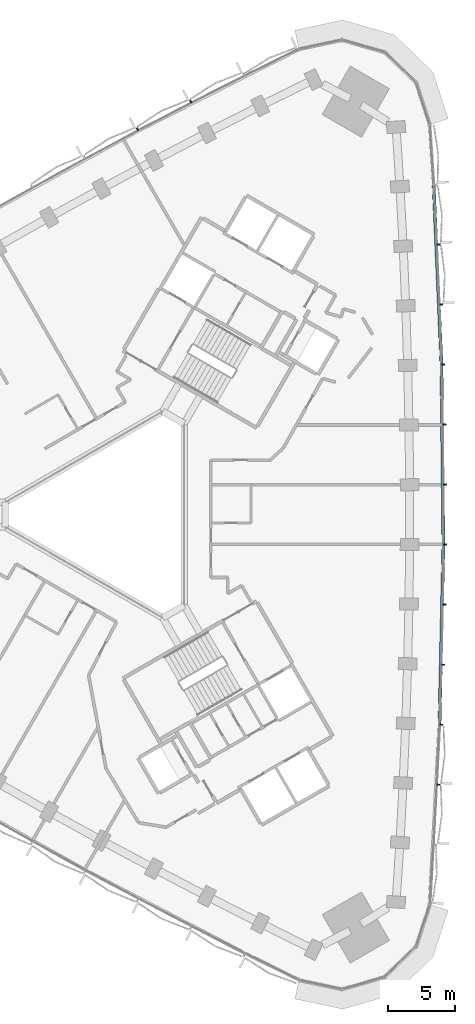
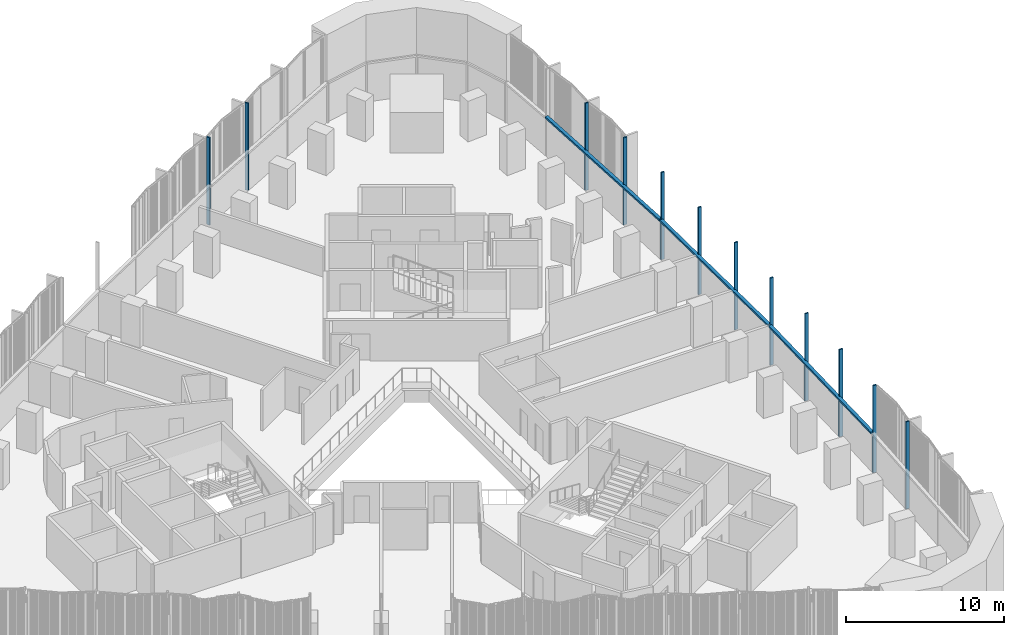
# One storey, part 6 of 16: 15 members, 2 elements without a shape of their own.
"""IFC4 building model written with IfcOpenShell, lengths in metres."""

import ifcopenshell
import ifcopenshell.guid

model = None  # the IFC model being written
_history = None  # IfcOwnerHistory: only IFC2X3 demands one
_inside = {}  # id of a spatial element -> (the spatial element, [elements in it])
_under = {}  # id of a project, library or spatial element -> (it, [spatial elements below it])
_declared = {}  # id of a project -> (the project, [libraries it declares])
_typed = {}  # id of a type object -> (the type object, [elements of that type])
_made_of = {}  # id of a material, layer set ... -> (it, [elements and type objects made of it])


def new_model(schema):
    """Start an empty IFC model of exactly this schema.

    Asked for "IFC4X3", IfcOpenShell would pick the latest addendum, in which some entities
    have other attributes; the version numbers below select the first issue.
    IFC2X3 requires an IfcOwnerHistory on every rooted entity: one is made here for all.
    """
    global model, _history
    if schema == "IFC4X3":
        model = ifcopenshell.file(schema_version=(4, 3, 0, 0))
    else:
        model = ifcopenshell.file(schema=schema)
    _inside.clear()
    _under.clear()
    _declared.clear()
    _typed.clear()
    _made_of.clear()
    _history = None
    if model.schema == "IFC2X3":
        org = make("IfcOrganization", Name="unknown")
        user = make(
            "IfcPersonAndOrganization",
            ThePerson=make("IfcPerson", FamilyName="unknown"),
            TheOrganization=org,
        )
        app = make(
            "IfcApplication",
            ApplicationDeveloper=org,
            Version="unknown",
            ApplicationFullName="unknown",
            ApplicationIdentifier="unknown",
        )
        _history = make(
            "IfcOwnerHistory",
            OwningUser=user,
            OwningApplication=app,
            ChangeAction="ADDED",
            CreationDate=0,
        )
    return model


def make(cls, **values):
    """One entity of the class cls with the attributes given. An attribute that is None is left unset."""
    return model.create_entity(
        cls, **{name: value for name, value in values.items() if value is not None}
    )


def rooted(cls, **values):
    """An entity with a GlobalId (a new one), such as an element, a storey or a relation."""
    return make(cls, GlobalId=ifcopenshell.guid.new(), OwnerHistory=_history, **values)


def si_unit(unit_type, name, prefix=None):
    """IfcSIUnit, for example si_unit("LENGTHUNIT", "METRE", prefix="MILLI")."""
    return make("IfcSIUnit", UnitType=unit_type, Prefix=prefix, Name=name)


def assignment(units):
    """IfcUnitAssignment: the units of a project."""
    return None if units is None else make("IfcUnitAssignment", Units=units)


def point(xyz):
    """IfcCartesianPoint."""
    return None if xyz is None else make("IfcCartesianPoint", Coordinates=xyz)


def direction(xyz):
    """IfcDirection."""
    return None if xyz is None else make("IfcDirection", DirectionRatios=xyz)


def frame(location, z_axis=None, x_axis=None):
    """IfcAxis2Placement3D, a coordinate frame: its origin and axes. An axis left out is left unset."""
    return make(
        "IfcAxis2Placement3D",
        Location=point(location),
        Axis=direction(z_axis),
        RefDirection=direction(x_axis),
    )


def frame_2d(location, x_axis=None):
    """IfcAxis2Placement2D, a coordinate frame in the plane: its origin and x axis."""
    return make(
        "IfcAxis2Placement2D", Location=point(location), RefDirection=direction(x_axis)
    )


def origin():
    """The frame at (0, 0, 0) with its axes left unset."""
    return frame((0.0, 0.0, 0.0))


def origin_2d():
    """The frame at (0, 0) in the plane with its x axis left unset."""
    return frame_2d((0.0, 0.0))


def place(relative_to, where):
    """IfcLocalPlacement: puts the frame where relative to a parent placement (None: the world)."""
    return make(
        "IfcLocalPlacement", PlacementRelTo=relative_to, RelativePlacement=where
    )


def context(
    kind, dimensions, precision=None, world=None, true_north=None, identifier=None
):
    """IfcGeometricRepresentationContext, for example the 3D "Model" context."""
    return make(
        "IfcGeometricRepresentationContext",
        ContextIdentifier=identifier,
        ContextType=kind,
        CoordinateSpaceDimension=dimensions,
        Precision=precision,
        WorldCoordinateSystem=world,
        TrueNorth=true_north,
    )


def subcontext(parent, identifier, kind, view, scale=None):
    """IfcGeometricRepresentationSubContext, for example "Body" below "Model"."""
    return make(
        "IfcGeometricRepresentationSubContext",
        ContextIdentifier=identifier,
        ContextType=kind,
        ParentContext=parent,
        TargetScale=scale,
        TargetView=view,
    )


def project(units=None, contexts=None):
    """IfcProject with its units and contexts."""
    return rooted(
        "IfcProject",
        Name="project",
        RepresentationContexts=contexts,
        UnitsInContext=assignment(units),
    )


def spatial(cls, under=None, at=None, **own):
    """A site, building, storey or space (cls), placed at a placement, below another one or the project."""
    s = rooted(cls, ObjectPlacement=at, **own)
    if under is not None:
        _under.setdefault(under.id(), (under, []))[1].append(s)
    return s


def profile(cls, at=None, kind="AREA", **sizes):
    """A parametric profile (cls). Its sizes go by their IFC names, for example OverallWidth=200.0."""
    return make(cls, ProfileType=kind, Position=at, **sizes)


def rectangle(**sizes):
    """IfcRectangleProfileDef."""
    return profile("IfcRectangleProfileDef", **sizes)


def extrude(swept, where, along, depth):
    """IfcExtrudedAreaSolid: the profile swept, set in the frame where, extruded along a direction by depth."""
    return make(
        "IfcExtrudedAreaSolid",
        SweptArea=swept,
        Position=where,
        ExtrudedDirection=direction(along),
        Depth=depth,
    )


def shape(context_of_items, identifier, shape_type, items):
    """IfcShapeRepresentation: the items that make up one representation, for example the "Body"."""
    return make(
        "IfcShapeRepresentation",
        ContextOfItems=context_of_items,
        RepresentationIdentifier=identifier,
        RepresentationType=shape_type,
        Items=items,
    )


def material(Name=None, Category=None):
    """IfcMaterial."""
    return make("IfcMaterial", Name=Name, Category=Category)


def material_profile(
    of_material, cross_section, Name=None, Category=None, Priority=None
):
    """IfcMaterialProfile: a cross section and its material."""
    return make(
        "IfcMaterialProfile",
        Name=Name,
        Material=of_material,
        Profile=cross_section,
        Priority=Priority,
        Category=Category,
    )


def profile_set(profiles, Name=None, composite=None):
    """IfcMaterialProfileSet."""
    return make(
        "IfcMaterialProfileSet",
        Name=Name,
        MaterialProfiles=profiles,
        CompositeProfile=composite,
    )


def made_of(thing, what):
    """Note that an element or type object is made of a material, layer set ...; save() writes the relation."""
    if what is not None:
        _made_of.setdefault(what.id(), (what, []))[1].append(thing)
    return thing


def type_object(cls, material=None, **own):
    """A type object (cls), such as IfcWallType, which elements share."""
    return made_of(rooted(cls, **own), material)


def element(
    cls,
    number,
    at=None,
    inside=None,
    cuts=None,
    type_object=None,
    material=None,
    context=None,
    identifier="Body",
    shape_type=None,
    held_by="IfcProductDefinitionShape",
    body=None,
    shapes=None,
    **own,
):
    """One element of the class cls, such as IfcWall. Its Tag is "e" and its number.

    at: its placement. inside: the storey or other place that contains it. cuts: it is an
    opening in that element (IfcRelVoidsElement). A single representation is given by context,
    identifier, shape_type and body (its items); several are given by shapes. held_by: the class
    of the entity that holds the representations. save() writes the other relations.
    """
    e = rooted(cls, Tag="e%d" % number, ObjectPlacement=at, **own)
    if body is not None:
        shapes = [shape(context, identifier, shape_type, body)]
    if shapes is not None:
        e.Representation = make(held_by, Representations=shapes)
    if inside is not None:
        _inside.setdefault(inside.id(), (inside, []))[1].append(e)
    if cuts is not None:
        rooted(
            "IfcRelVoidsElement", RelatingBuildingElement=cuts, RelatedOpeningElement=e
        )
    if type_object is not None:
        _typed.setdefault(type_object.id(), (type_object, []))[1].append(e)
    return made_of(e, material)


def aggregate(whole, parts):
    """IfcRelAggregates: a whole, such as a stair, and the parts it consists of."""
    return rooted("IfcRelAggregates", RelatingObject=whole, RelatedObjects=parts)


def save(model, path):
    """Write the relations noted so far, then the file.

    IfcRelAggregates (storeys below a building ...), IfcRelContainedInSpatialStructure (elements
    in a storey), IfcRelDefinesByType, IfcRelAssociatesMaterial and IfcRelDeclares: one each for
    every whole, place, type object, material and project.
    """
    for whole, parts in _under.values():
        aggregate(whole, parts)
    for where, things in _inside.values():
        rooted(
            "IfcRelContainedInSpatialStructure",
            RelatedElements=things,
            RelatingStructure=where,
        )
    for kind, things in _typed.values():
        rooted("IfcRelDefinesByType", RelatedObjects=things, RelatingType=kind)
    for what, things in _made_of.values():
        rooted("IfcRelAssociatesMaterial", RelatedObjects=things, RelatingMaterial=what)
    for by, libraries in _declared.values():
        rooted("IfcRelDeclares", RelatingContext=by, RelatedDefinitions=libraries)
    model.write(path)


model = new_model("IFC4")

# Units and contexts
model_context = context("Model", 3, precision=1e-05, world=origin(), true_north=direction((0.0, 1.0)))
body_context = subcontext(model_context, "Body", "Model", "MODEL_VIEW")
ifc_project = project(units=[si_unit("LENGTHUNIT", "METRE"), si_unit("AREAUNIT", "SQUARE_METRE"), si_unit("VOLUMEUNIT", "CUBIC_METRE"), si_unit("PLANEANGLEUNIT", "RADIAN"), si_unit("MASSUNIT", "GRAM", prefix="KILO")], contexts=[model_context])

# Site, building, storey
site_placement = place(None, origin())
site = spatial("IfcSite", under=ifc_project, at=site_placement, CompositionType="ELEMENT")
building_placement = place(site_placement, origin())
building = spatial("IfcBuilding", under=site, at=building_placement, Name="Tamra Quay Hotel Tower", CompositionType="ELEMENT")
storey_placement = place(building_placement, frame((0.0, 0.0, 56.60009765625)))
storey = spatial("IfcBuildingStorey", under=building, at=storey_placement, Name="L12", CompositionType="ELEMENT", Elevation=56.60009765625)

# Curtain wall, members
ifc_material = material(Name="Aluminium 6063 anodised dark grey", Category="aluminium")
curtain_wall_type_1 = type_object("IfcCurtainWallType", Name="CW1 CURTAIN WALL", PredefinedType="NOTDEFINED", material=ifc_material)
curtain_wall_1_placement = place(storey_placement, origin())
curtain_wall_1 = element("IfcCurtainWall", 1, at=curtain_wall_1_placement, inside=storey, type_object=curtain_wall_type_1, Name="CW1 east face L12", PredefinedType="NOTDEFINED")
ifc_material_profile_1 = material_profile(ifc_material, rectangle(XDim=0.239990234375, YDim=0.10009765625, at=origin_2d()), Name="MULLION 100X240")
ifc_profile_set_1 = profile_set([ifc_material_profile_1], Name="Aluminium 6063 anodised dark grey")
member_type_1 = type_object("IfcMemberType", Name="MULLION CW1 Z1", PredefinedType="MULLION", material=ifc_profile_set_1)
member_1_placement = place(storey_placement, frame((24.06298828125, -20.2373046875, 0.0), z_axis=(0.0, 0.0, 1.0), x_axis=(0.998814694093, -0.048674499108, 0.0)))
member_1 = element("IfcMember", 2, at=member_1_placement, type_object=member_type_1, Name="CW1 mullion L12.E.3", PredefinedType="MULLION", context=body_context, shape_type="SweptSolid", body=[
    extrude(rectangle(XDim=0.239990234375, YDim=0.10009765625, at=origin_2d()), origin(), (0.0, 0.0, 1.0), 6.724853515625),
])
member_2_placement = place(storey_placement, frame((24.2578125, -15.742919921875, 0.0), z_axis=(0.0, 0.0, 1.0), x_axis=(0.999282269294, -0.037880684725, 0.0)))
member_2 = element("IfcMember", 3, at=member_2_placement, type_object=member_type_1, Name="CW1 mullion L12.E.4", PredefinedType="MULLION", context=body_context, shape_type="SweptSolid", body=[
    extrude(rectangle(XDim=0.239990234375, YDim=0.10009765625, at=origin_2d()), origin(), (0.0, 0.0, 1.0), 6.724853515625),
])
member_3_placement = place(storey_placement, frame((24.40380859375, -11.246826171875, 0.0), z_axis=(0.0, 0.0, 1.0), x_axis=(0.999633634744, -0.027066515987, 0.0)))
member_3 = element("IfcMember", 4, at=member_3_placement, type_object=member_type_1, Name="CW1 mullion L12.E.5", PredefinedType="MULLION", context=body_context, shape_type="SweptSolid", body=[
    extrude(rectangle(XDim=0.239990234375, YDim=0.10009765625, at=origin_2d()), origin(), (0.0, 0.0, 1.0), 6.724853515625),
])
member_4_placement = place(storey_placement, frame((24.50146484375, -6.74755859375, 0.0), z_axis=(0.0, 0.0, 1.0), x_axis=(0.99986801088, -0.01624687107, 0.0)))
member_4 = element("IfcMember", 5, at=member_4_placement, type_object=member_type_1, Name="CW1 mullion L12.E.6", PredefinedType="MULLION", context=body_context, shape_type="SweptSolid", body=[
    extrude(rectangle(XDim=0.239990234375, YDim=0.10009765625, at=origin_2d()), origin(), (0.0, 0.0, 1.0), 6.724853515625),
])
member_5_placement = place(storey_placement, frame((24.550048828125, -2.249267578125, 0.0), z_axis=(0.0, 0.0, 1.0), x_axis=(0.999985322571, -0.005417992405, 0.0)))
member_5 = element("IfcMember", 6, at=member_5_placement, type_object=member_type_1, Name="CW1 mullion L12.E.7", PredefinedType="MULLION", context=body_context, shape_type="SweptSolid", body=[
    extrude(rectangle(XDim=0.239990234375, YDim=0.10009765625, at=origin_2d()), origin(), (0.0, 0.0, 1.0), 6.724853515625),
])
member_6_placement = place(storey_placement, frame((24.550048828125, 2.249267578125, 0.0), z_axis=(0.0, 0.0, 1.0), x_axis=(0.999985322571, 0.005417992405, 0.0)))
member_6 = element("IfcMember", 7, at=member_6_placement, type_object=member_type_1, Name="CW1 mullion L12.E.8", PredefinedType="MULLION", context=body_context, shape_type="SweptSolid", body=[
    extrude(rectangle(XDim=0.239990234375, YDim=0.10009765625, at=origin_2d()), origin(), (0.0, 0.0, 1.0), 6.724853515625),
])
member_7_placement = place(storey_placement, frame((24.50146484375, 6.74755859375, 0.0), z_axis=(0.0, 0.0, 1.0), x_axis=(0.99986801088, 0.01624687107, 0.0)))
member_7 = element("IfcMember", 8, at=member_7_placement, type_object=member_type_1, Name="CW1 mullion L12.E.9", PredefinedType="MULLION", context=body_context, shape_type="SweptSolid", body=[
    extrude(rectangle(XDim=0.239990234375, YDim=0.10009765625, at=origin_2d()), origin(), (0.0, 0.0, 1.0), 6.724853515625),
])
member_8_placement = place(storey_placement, frame((24.40380859375, 11.246826171875, 0.0), z_axis=(0.0, 0.0, 1.0), x_axis=(0.999633634744, 0.027066515987, 0.0)))
member_8 = element("IfcMember", 9, at=member_8_placement, type_object=member_type_1, Name="CW1 mullion L12.E.10", PredefinedType="MULLION", context=body_context, shape_type="SweptSolid", body=[
    extrude(rectangle(XDim=0.239990234375, YDim=0.10009765625, at=origin_2d()), origin(), (0.0, 0.0, 1.0), 6.724853515625),
])
member_9_placement = place(storey_placement, frame((24.2578125, 15.742919921875, 0.0), z_axis=(0.0, 0.0, 1.0), x_axis=(0.999282269294, 0.037880684725, 0.0)))
member_9 = element("IfcMember", 10, at=member_9_placement, type_object=member_type_1, Name="CW1 mullion L12.E.11", PredefinedType="MULLION", context=body_context, shape_type="SweptSolid", body=[
    extrude(rectangle(XDim=0.239990234375, YDim=0.10009765625, at=origin_2d()), origin(), (0.0, 0.0, 1.0), 6.724853515625),
])
member_10_placement = place(storey_placement, frame((24.06298828125, 20.2373046875, 0.0), z_axis=(0.0, 0.0, 1.0), x_axis=(0.998814694093, 0.048674499108, 0.0)))
member_10 = element("IfcMember", 11, at=member_10_placement, type_object=member_type_1, Name="CW1 mullion L12.E.12", PredefinedType="MULLION", context=body_context, shape_type="SweptSolid", body=[
    extrude(rectangle(XDim=0.239990234375, YDim=0.10009765625, at=origin_2d()), origin(), (0.0, 0.0, 1.0), 6.724853515625),
])

curtain_wall_type_2 = type_object("IfcCurtainWallType", Name="CW2 CURTAIN WALL", PredefinedType="NOTDEFINED", material=ifc_material)
curtain_wall_2_placement = place(storey_placement, origin())
curtain_wall_2 = element("IfcCurtainWall", 12, at=curtain_wall_2_placement, inside=storey, type_object=curtain_wall_type_2, Name="CW2 north-west face L12", PredefinedType="NOTDEFINED")
ifc_material_profile_2 = material_profile(ifc_material, rectangle(XDim=0.239990234375, YDim=0.10009765625, at=origin_2d()), Name="MULLION 100X240")
ifc_profile_set_2 = profile_set([ifc_material_profile_2], Name="Aluminium 6063 anodised dark grey")
member_type_2 = type_object("IfcMemberType", Name="MULLION CW2 Z1", PredefinedType="MULLION", material=ifc_profile_set_2)
member_11_placement = place(storey_placement, frame((5.49462890625, 30.9580078125, 0.0), z_axis=(0.0, 0.0, 1.0), x_axis=(-0.457253994303, 0.889336148312, 0.0)))
member_11 = element("IfcMember", 13, at=member_11_placement, type_object=member_type_2, Name="CW2 mullion L12.NW.3", PredefinedType="MULLION", context=body_context, shape_type="SweptSolid", body=[
    extrude(rectangle(XDim=0.239990234375, YDim=0.10009765625, at=origin_2d()), origin(), (0.0, 0.0, 1.0), 6.724853515625),
])
member_12_placement = place(storey_placement, frame((1.5048828125, 28.87939453125, 0.0), z_axis=(0.0, 0.0, 1.0), x_axis=(-0.466835499362, 0.884344173122, 0.0)))
member_12 = element("IfcMember", 14, at=member_12_placement, type_object=member_type_2, Name="CW2 mullion L12.NW.4", PredefinedType="MULLION", context=body_context, shape_type="SweptSolid", body=[
    extrude(rectangle(XDim=0.239990234375, YDim=0.10009765625, at=origin_2d()), origin(), (0.0, 0.0, 1.0), 6.724853515625),
])
aggregate(curtain_wall_2, [member_11, member_12])

# Member
ifc_material_profile_3 = material_profile(ifc_material, rectangle(XDim=0.239990234375, YDim=0.139892578125, at=origin_2d()), Name="TRANSOM 240X140")
ifc_profile_set_3 = profile_set([ifc_material_profile_3], Name="Aluminium 6063 anodised dark grey")
member_type_3 = type_object("IfcMemberType", Name="TRANSOM CW1 Z1", PredefinedType="USERDEFINED", material=ifc_profile_set_3)
member_13_placement = place(storey_placement, frame((24.139404296875, -15.6884765625, 3.054931640625), z_axis=(0.02165596486, 0.999765482094, 0.0), x_axis=(-0.999765482094, 0.02165596486, 0.0)))
member_13 = element("IfcMember", 15, at=member_13_placement, type_object=member_type_3, Name="CW1 transom L12.E.4", ObjectType="TRANSOM", PredefinedType="USERDEFINED", context=body_context, shape_type="SweptSolid", body=[
    extrude(rectangle(XDim=0.239990234375, YDim=0.139892578125, at=origin_2d()), origin(), (0.0, 0.0, 1.0), 13.39306640625),
])

member_14_placement = place(storey_placement, frame((24.43017578125, -2.19873046875, 3.054931640625), z_axis=(-0.010846139849, 0.999941178895, 0.0), x_axis=(-0.999941178895, -0.010846139849, 0.0)))
member_14 = element("IfcMember", 16, at=member_14_placement, type_object=member_type_3, Name="CW1 transom L12.E.7", ObjectType="TRANSOM", PredefinedType="USERDEFINED", context=body_context, shape_type="SweptSolid", body=[
    extrude(rectangle(XDim=0.239990234375, YDim=0.139892578125, at=origin_2d()), origin(), (0.0, 0.0, 1.0), 13.39306640625),
])

member_15_placement = place(storey_placement, frame((24.2822265625, 11.29345703125, 3.054931640625), z_axis=(-0.043275844727, 0.999063161799, 0.0), x_axis=(-0.999063161799, -0.043275844727, 0.0)))
member_15 = element("IfcMember", 17, at=member_15_placement, type_object=member_type_3, Name="CW1 transom L12.E.10", ObjectType="TRANSOM", PredefinedType="USERDEFINED", context=body_context, shape_type="SweptSolid", body=[
    extrude(rectangle(XDim=0.239990234375, YDim=0.139892578125, at=origin_2d()), origin(), (0.0, 0.0, 1.0), 13.392822265625),
])

aggregate(curtain_wall_1, [member_1, member_2, member_13, member_3, member_4, member_5, member_14, member_6, member_7, member_8, member_15, member_9, member_10])

save(model, "model.ifc")
